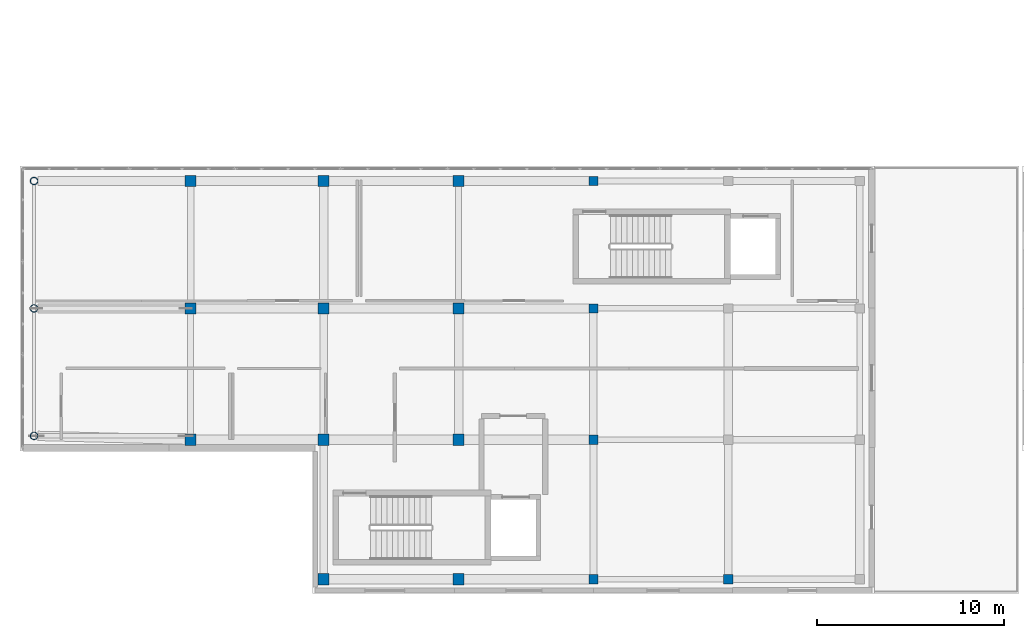
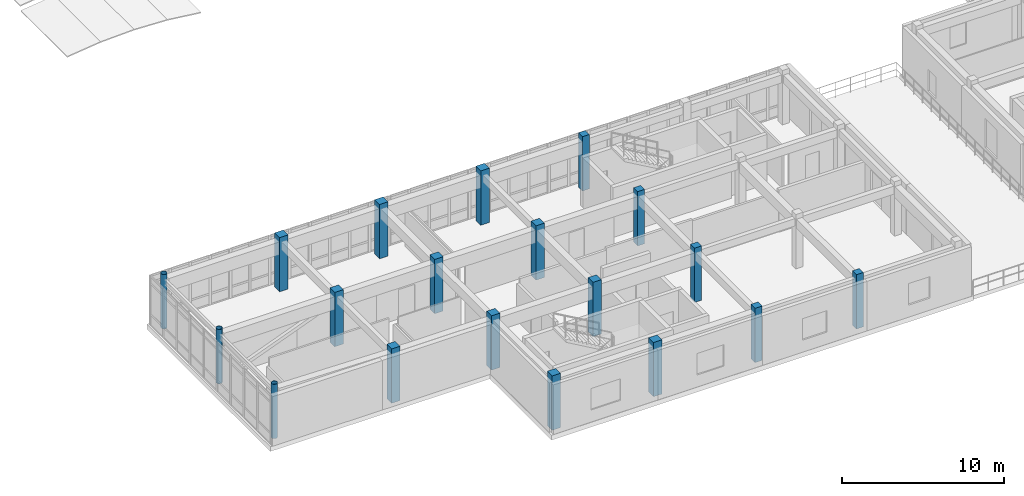
# One storey, part 1 of 52: 19 columns.
"""IFC4 building model written with IfcOpenShell, lengths in metres."""

from ifc_helpers import new_model, si_unit, direction, frame, origin, origin_2d, place, context, subcontext, project, spatial, rectangle, hollow_circle, extrude, material, material_profile, profile_set, type_object, element, save


model = new_model("IFC4")

# Units and contexts
model_context = context("Model", 3, precision=1e-05, world=origin(), true_north=direction((0.0, 1.0)))
body_context = subcontext(model_context, "Body", "Model", "MODEL_VIEW")
ifc_project = project(units=[si_unit("LENGTHUNIT", "METRE"), si_unit("AREAUNIT", "SQUARE_METRE"), si_unit("VOLUMEUNIT", "CUBIC_METRE"), si_unit("PLANEANGLEUNIT", "RADIAN"), si_unit("MASSUNIT", "GRAM", prefix="KILO")], contexts=[model_context])

# Site, building, storey
site_placement = place(None, origin())
site = spatial("IfcSite", under=ifc_project, at=site_placement, CompositionType="ELEMENT")
building_placement = place(site_placement, origin())
building = spatial("IfcBuilding", under=site, at=building_placement, Name="Valcora Specialist Clinic", CompositionType="ELEMENT")
storey_placement = place(building_placement, frame((0.0, 0.0, 17.679931640625)))
storey = spatial("IfcBuildingStorey", under=building, at=storey_placement, Name="L04", CompositionType="ELEMENT", Elevation=17.679931640625)

# Columns
ifc_material_1 = material(Name="Steel ASTM A500 Grade C", Category="steel")
ifc_material_profile_1 = material_profile(ifc_material_1, hollow_circle(Radius=0.202880859375, WallThickness=0.01611328125, at=origin_2d()), Name="ST-CHS-406X16")
ifc_profile_set_1 = profile_set([ifc_material_profile_1], Name="Steel ASTM A500 Grade C")
column_type_1 = type_object("IfcColumnType", Name="TY-COL-CHS406", PredefinedType="COLUMN", material=ifc_profile_set_1)
for number, where, z_axis, x_axis, name in (
    (1, (0.75, 8.39990234375, 0.0), (0.0, 0.0, 1.0), (1.0, 0.0, 0.0), "Column COL-L04-0541"),
    (2, (0.75, 15.199951171875, 0.0), (0.0, 0.0, 1.0), (1.0, 0.0, 0.0), "Column COL-L04-0548"),
    (3, (0.75, 22.0, 0.0), (0.0, 0.0, 1.0), (1.0, 0.0, 0.0), "Column COL-L04-0555"),
):
    element("IfcColumn", number, at=place(storey_placement, frame(where, z_axis=z_axis, x_axis=x_axis)), inside=storey, type_object=column_type_1, Name=name, PredefinedType="COLUMN", context=body_context, shape_type="SweptSolid", body=[
        extrude(hollow_circle(Radius=0.202880859375, WallThickness=0.01611328125, at=origin_2d()), origin(), (0.0, 0.0, 1.0), 4.080078125),
    ])
ifc_material_2 = material(Name="Concrete C40/50", Category="concrete")
ifc_material_profile_2 = material_profile(ifc_material_2, rectangle(XDim=0.5, YDim=0.5, at=origin_2d()), Name="RC-COL-500X500")
ifc_profile_set_2 = profile_set([ifc_material_profile_2], Name="Concrete C40/50")
column_type_2 = type_object("IfcColumnType", Name="TY-COL-RC500", PredefinedType="COLUMN", material=ifc_profile_set_2)
for number, where, z_axis, x_axis, name in (
    (4, (30.60009765625, 0.75, 0.0), (0.0, 0.0, 1.0), (1.0, 0.0, 0.0), "Column COL-L04-0639"),
    (5, (30.60009765625, 8.199951171875, 0.0), (0.0, 0.0, 1.0), (1.0, 0.0, 0.0), "Column COL-L04-0646"),
    (6, (30.60009765625, 15.199951171875, 0.0), (0.0, 0.0, 1.0), (1.0, 0.0, 0.0), "Column COL-L04-0653"),
    (7, (30.60009765625, 22.0, 0.0), (0.0, 0.0, 1.0), (1.0, 0.0, 0.0), "Column COL-L04-0660"),
    (8, (37.800048828125, 0.75, 0.0), (0.0, 0.0, 1.0), (1.0, 0.0, 0.0), "Column COL-L04-0667"),
):
    element("IfcColumn", number, at=place(storey_placement, frame(where, z_axis=z_axis, x_axis=x_axis)), inside=storey, type_object=column_type_2, Name=name, PredefinedType="COLUMN", context=body_context, shape_type="SweptSolid", body=[
        extrude(rectangle(XDim=0.5, YDim=0.5, at=origin_2d()), origin(), (0.0, 0.0, 1.0), 4.080078125),
    ])
ifc_material_profile_3 = material_profile(ifc_material_2, rectangle(XDim=0.60009765625, YDim=0.60009765625, at=origin_2d()), Name="RC-COL-600X600")
ifc_profile_set_3 = profile_set([ifc_material_profile_3], Name="Concrete C40/50")
column_type_3 = type_object("IfcColumnType", Name="TY-COL-RC600", PredefinedType="COLUMN", material=ifc_profile_set_3)
for number, where, z_axis, x_axis, name in (
    (9, (9.10009765625, 8.199951171875, 0.0), (0.0, 0.0, 1.0), (1.0, 0.0, 0.0), "Column COL-L04-0562"),
    (10, (9.10009765625, 15.199951171875, 0.0), (0.0, 0.0, 1.0), (1.0, 0.0, 0.0), "Column COL-L04-0569"),
    (11, (9.10009765625, 22.0, 0.0), (0.0, 0.0, 1.0), (1.0, 0.0, 0.0), "Column COL-L04-0576"),
    (12, (16.199951171875, 0.75, 0.0), (0.0, 0.0, 1.0), (1.0, 0.0, 0.0), "Column COL-L04-0583"),
    (13, (16.199951171875, 8.199951171875, 0.0), (0.0, 0.0, 1.0), (1.0, 0.0, 0.0), "Column COL-L04-0590"),
    (14, (16.199951171875, 15.199951171875, 0.0), (0.0, 0.0, 1.0), (1.0, 0.0, 0.0), "Column COL-L04-0597"),
    (15, (16.199951171875, 22.0, 0.0), (0.0, 0.0, 1.0), (1.0, 0.0, 0.0), "Column COL-L04-0604"),
    (16, (23.39990234375, 0.75, 0.0), (0.0, 0.0, 1.0), (1.0, 0.0, 0.0), "Column COL-L04-0611"),
    (17, (23.39990234375, 8.199951171875, 0.0), (0.0, 0.0, 1.0), (1.0, 0.0, 0.0), "Column COL-L04-0618"),
    (18, (23.39990234375, 15.199951171875, 0.0), (0.0, 0.0, 1.0), (1.0, 0.0, 0.0), "Column COL-L04-0625"),
    (19, (23.39990234375, 22.0, 0.0), (0.0, 0.0, 1.0), (1.0, 0.0, 0.0), "Column COL-L04-0632"),
):
    element("IfcColumn", number, at=place(storey_placement, frame(where, z_axis=z_axis, x_axis=x_axis)), inside=storey, type_object=column_type_3, Name=name, PredefinedType="COLUMN", context=body_context, shape_type="SweptSolid", body=[
        extrude(rectangle(XDim=0.60009765625, YDim=0.60009765625, at=origin_2d()), origin(), (0.0, 0.0, 1.0), 4.080078125),
    ])

save(model, "model.ifc")
